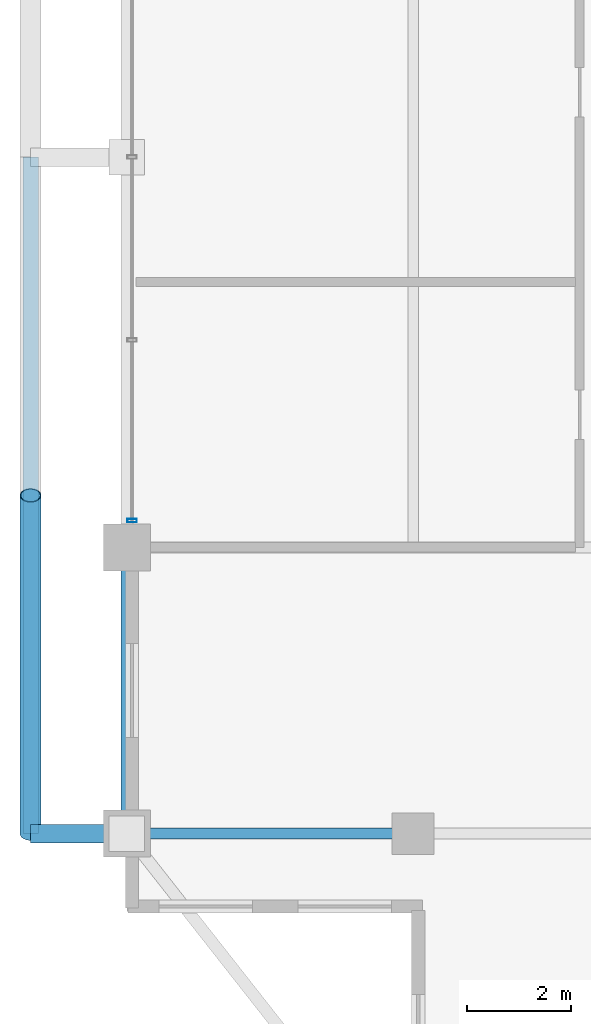
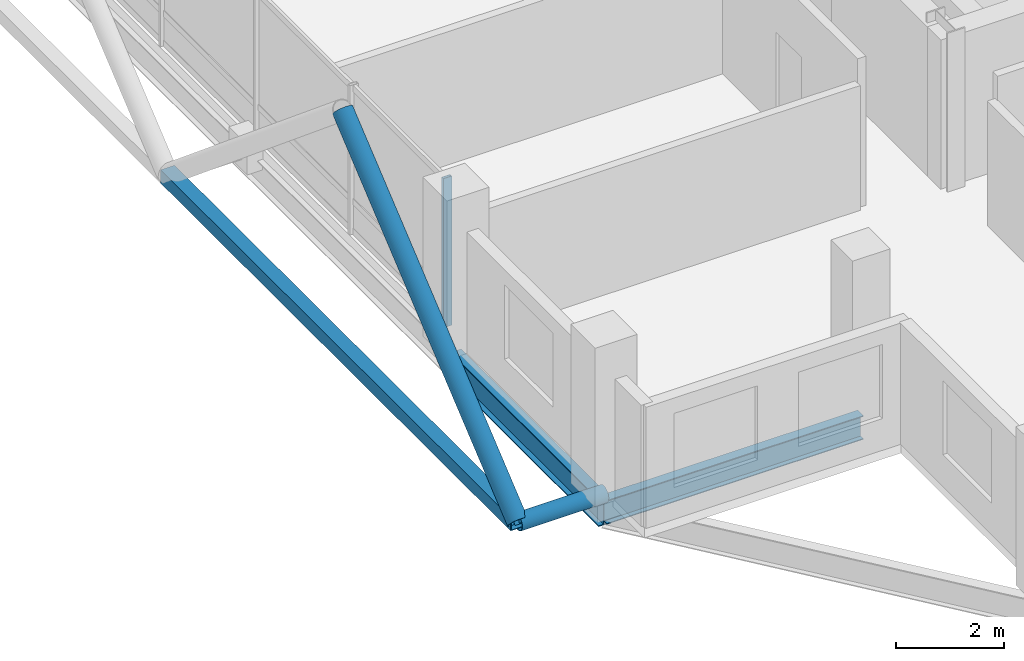
# One storey, part 3 of 24: 4 members, 2 beams, 1 element without a shape of its own.
"""IFC4 building model written with IfcOpenShell, lengths in metres."""

from ifc_helpers import new_model, si_unit, direction, frame, origin, origin_2d, place, context, subcontext, project, spatial, hollow_rectangle, hollow_circle, i_section, extrude, material, layer, layer_set, material_profile, profile_set, type_object, element, aggregate, save


model = new_model("IFC4")

# Units and contexts
model_context = context("Model", 3, precision=1e-05, world=origin(), true_north=direction((0.0, 1.0)))
body_context = subcontext(model_context, "Body", "Model", "MODEL_VIEW")
ifc_project = project(units=[si_unit("LENGTHUNIT", "METRE"), si_unit("AREAUNIT", "SQUARE_METRE"), si_unit("VOLUMEUNIT", "CUBIC_METRE"), si_unit("PLANEANGLEUNIT", "RADIAN"), si_unit("MASSUNIT", "GRAM", prefix="KILO")], contexts=[model_context])

# Site, building, storey
site_placement = place(None, origin())
site = spatial("IfcSite", under=ifc_project, at=site_placement, CompositionType="ELEMENT")
building_placement = place(site_placement, origin())
building = spatial("IfcBuilding", under=site, at=building_placement, Name="Barlavira Tower and Art Museum", CompositionType="ELEMENT")
storey_placement = place(building_placement, frame((0.0, 0.0, 240.300048828125)))
storey = spatial("IfcBuildingStorey", under=building, at=storey_placement, Name="L62", CompositionType="ELEMENT", Elevation=240.300048828125)

# Curtain wall, member
ifc_material_1 = material(Name="Low-iron coastal laminated glass", Category="glass")
ifc_layer = layer(ifc_material_1, 0.2099609375, Name="Low-iron coastal laminated glass")
ifc_layer_set = layer_set([ifc_layer], Name="Low-iron coastal laminated glass")
curtain_wall_type = type_object("IfcCurtainWallType", Name="Pale-Metal Unitised Curtain Wall Zone 4", PredefinedType="NOTDEFINED", material=ifc_layer_set)
curtain_wall_placement = place(storey_placement, origin())
curtain_wall = element("IfcCurtainWall", 1, at=curtain_wall_placement, inside=storey, type_object=curtain_wall_type, Name="L62 Curtain Wall CW4-L62-W-B3", PredefinedType="NOTDEFINED")
ifc_material_2 = material(Name="Pale anodised aluminium", Category="aluminium")
ifc_material_profile_1 = material_profile(ifc_material_2, hollow_rectangle(XDim=0.06494140625, YDim=0.179931640625, WallThickness=0.00390625, at=origin_2d()), Name="ALU-MULL 65x180x4")
ifc_profile_set_1 = profile_set([ifc_material_profile_1], Name="Pale anodised aluminium")
member_type_1 = type_object("IfcMemberType", Name="Curtain Wall Pale-Metal Mullion 65x180", PredefinedType="MULLION", material=ifc_profile_set_1)
member_1_placement = place(storey_placement, frame((-16.89990234375, -6.985107421875, 0.0), z_axis=(0.0, 0.0, 1.0), x_axis=(0.0, -1.0, 0.0)))
member_1 = element("IfcMember", 2, at=member_1_placement, type_object=member_type_1, Name="CW4-L62-W-B3 Mullion 4", PredefinedType="MULLION", context=body_context, shape_type="SweptSolid", body=[
    extrude(hollow_rectangle(XDim=0.06494140625, YDim=0.179931640625, WallThickness=0.00390625, at=origin_2d()), origin(), (0.0, 0.0, 1.0), 3.3798828125),
])
aggregate(curtain_wall, [member_1])

# Members
ifc_material_3 = material(Name="Steel S355", Category="steel")
ifc_material_profile_2 = material_profile(ifc_material_3, hollow_circle(Radius=0.203125, WallThickness=0.01611328125, at=origin_2d()), Name="CHS 406.4x16.0")
ifc_profile_set_2 = profile_set([ifc_material_profile_2], Name="Steel S355")
member_type_2 = type_object("IfcMemberType", Name="Pale-Metal Exoskeleton Diagrid Tube CHS 406x16 Steel S355", PredefinedType="BRACE", material=ifc_profile_set_2)
member_2_placement = place(storey_placement, frame((-18.85009765625, -13.0, -0.1201171875), z_axis=(0.0, 0.76918185268, 0.639029950399), x_axis=(-1.0, 0.0, 0.0)))
element("IfcMember", 3, at=member_2_placement, inside=storey, type_object=member_type_2, Name="L62 Exoskeleton Diagrid Tube W", PredefinedType="BRACE", context=body_context, shape_type="SweptSolid", body=[
    extrude(hollow_circle(Radius=0.203125, WallThickness=0.01611328125, at=origin_2d()), origin(), (0.0, 0.0, 1.0), 8.450439453125),
])
ifc_material_profile_3 = material_profile(ifc_material_3, hollow_circle(Radius=0.177734375, WallThickness=0.01611328125, at=origin_2d()), Name="CHS 355.6x16.0")
ifc_profile_set_3 = profile_set([ifc_material_profile_3], Name="Steel S355")
member_type_3 = type_object("IfcMemberType", Name="Pale-Metal Exoskeleton Tie Strut CHS 356x16 Steel S355", PredefinedType="STRUT", material=ifc_profile_set_3)
member_3_placement = place(storey_placement, frame((-18.85009765625, -13.0, -0.1201171875), z_axis=(1.0, 0.0, 0.0), x_axis=(0.0, 1.0, 0.0)))
element("IfcMember", 4, at=member_3_placement, inside=storey, type_object=member_type_3, Name="L62 Exoskeleton Tie Strut W1", PredefinedType="STRUT", context=body_context, shape_type="SweptSolid", body=[
    extrude(hollow_circle(Radius=0.177734375, WallThickness=0.01611328125, at=origin_2d()), origin(), (0.0, 0.0, 1.0), 1.85009765625),
])
ifc_material_profile_4 = material_profile(ifc_material_3, hollow_rectangle(XDim=0.300048828125, YDim=0.300048828125, WallThickness=0.01611328125, at=origin_2d()), Name="SHS 300x300x16.0")
ifc_profile_set_4 = profile_set([ifc_material_profile_4], Name="Steel S355")
member_type_4 = type_object("IfcMemberType", Name="Pale-Metal Upper Ring Strut SHS 300x300x16 Steel S355", PredefinedType="STRUT", material=ifc_profile_set_4)
member_4_placement = place(storey_placement, frame((-18.85009765625, -13.0, -0.1201171875), z_axis=(0.0, 1.0, 0.0), x_axis=(-1.0, 0.0, 0.0)))
element("IfcMember", 5, at=member_4_placement, inside=storey, type_object=member_type_4, Name="L62 Exoskeleton Ring Strut W", PredefinedType="STRUT", context=body_context, shape_type="SweptSolid", body=[
    extrude(hollow_rectangle(XDim=0.300048828125, YDim=0.300048828125, WallThickness=0.01611328125, at=origin_2d()), origin(), (0.0, 0.0, 1.0), 13.0),
])

# Beams
ifc_material_profile_5 = material_profile(ifc_material_3, i_section(OverallWidth=0.22998046875, OverallDepth=0.616943359375, WebThickness=0.01318359375, FlangeThickness=0.022216796875, at=origin_2d()), Name="W610x140.0")
ifc_profile_set_5 = profile_set([ifc_material_profile_5], Name="Steel S355")
beam_type_1 = type_object("IfcBeamType", Name="Upper Shaft Spandrel Edge Beam W610x140 Steel S355", PredefinedType="SPANDREL", material=ifc_profile_set_5)
beam_1_placement = place(storey_placement, frame((-17.0, -13.0, -0.528564453125), z_axis=(0.0, 1.0, 0.0), x_axis=(-1.0, 0.0, 0.0)))
element("IfcBeam", 6, at=beam_1_placement, inside=storey, type_object=beam_type_1, Name="L62 Spandrel 15", PredefinedType="SPANDREL", context=body_context, shape_type="SweptSolid", body=[
    extrude(i_section(OverallWidth=0.22998046875, OverallDepth=0.616943359375, WebThickness=0.01318359375, FlangeThickness=0.022216796875, at=origin_2d()), origin(), (0.0, 0.0, 1.0), 5.5),
])
ifc_material_profile_6 = material_profile(ifc_material_3, i_section(OverallWidth=0.2109375, OverallDepth=0.5390625, WebThickness=0.01171875, FlangeThickness=0.018798828125, at=origin_2d()), Name="W530x109.0")
ifc_profile_set_6 = profile_set([ifc_material_profile_6], Name="Steel S355")
beam_type_2 = type_object("IfcBeamType", Name="Zone 3-4 Primary Floor Girder W530x109 Steel S355", PredefinedType="BEAM", material=ifc_profile_set_6)
beam_2_placement = place(storey_placement, frame((-17.0, -13.0, -0.489501953125), z_axis=(1.0, 0.0, 0.0), x_axis=(0.0, 1.0, 0.0)))
element("IfcBeam", 7, at=beam_2_placement, inside=storey, type_object=beam_type_2, Name="L62 Girder I-S1", PredefinedType="BEAM", context=body_context, shape_type="SweptSolid", body=[
    extrude(i_section(OverallWidth=0.2109375, OverallDepth=0.5390625, WebThickness=0.01171875, FlangeThickness=0.018798828125, at=origin_2d()), origin(), (0.0, 0.0, 1.0), 5.5),
])

save(model, "model.ifc")
